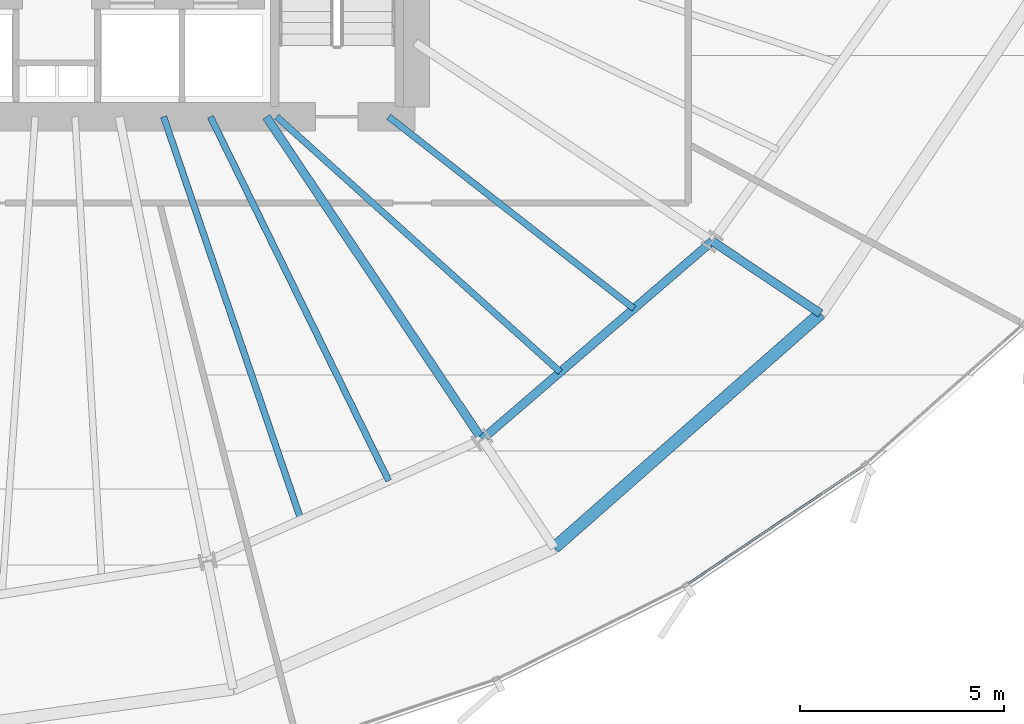
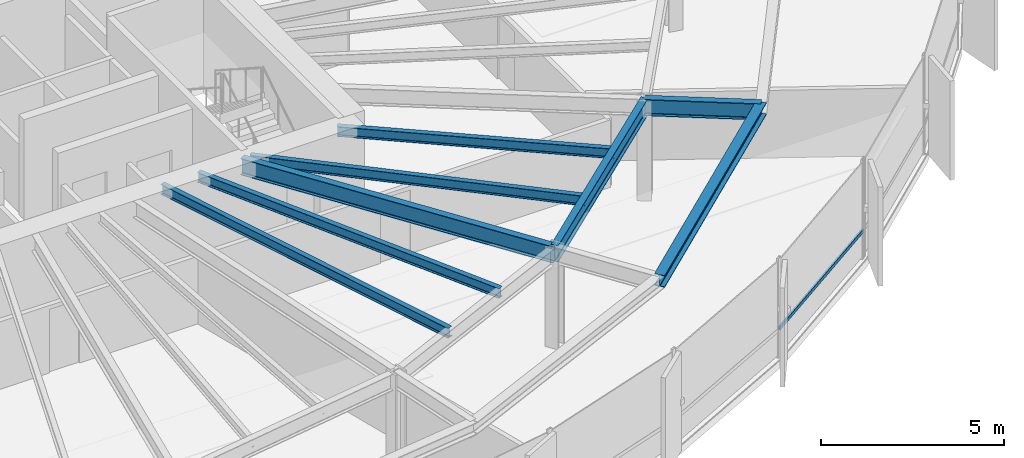
# One storey, part 12 of 35: 8 beams, 1 member, 1 element without a shape of its own.
"""IFC4 building model written with IfcOpenShell, lengths in metres."""

import ifcopenshell
import ifcopenshell.guid

model = None  # the IFC model being written
_history = None  # IfcOwnerHistory: only IFC2X3 demands one
_inside = {}  # id of a spatial element -> (the spatial element, [elements in it])
_under = {}  # id of a project, library or spatial element -> (it, [spatial elements below it])
_declared = {}  # id of a project -> (the project, [libraries it declares])
_typed = {}  # id of a type object -> (the type object, [elements of that type])
_made_of = {}  # id of a material, layer set ... -> (it, [elements and type objects made of it])


def new_model(schema):
    """Start an empty IFC model of exactly this schema.

    Asked for "IFC4X3", IfcOpenShell would pick the latest addendum, in which some entities
    have other attributes; the version numbers below select the first issue.
    IFC2X3 requires an IfcOwnerHistory on every rooted entity: one is made here for all.
    """
    global model, _history
    if schema == "IFC4X3":
        model = ifcopenshell.file(schema_version=(4, 3, 0, 0))
    else:
        model = ifcopenshell.file(schema=schema)
    _inside.clear()
    _under.clear()
    _declared.clear()
    _typed.clear()
    _made_of.clear()
    _history = None
    if model.schema == "IFC2X3":
        org = make("IfcOrganization", Name="unknown")
        user = make(
            "IfcPersonAndOrganization",
            ThePerson=make("IfcPerson", FamilyName="unknown"),
            TheOrganization=org,
        )
        app = make(
            "IfcApplication",
            ApplicationDeveloper=org,
            Version="unknown",
            ApplicationFullName="unknown",
            ApplicationIdentifier="unknown",
        )
        _history = make(
            "IfcOwnerHistory",
            OwningUser=user,
            OwningApplication=app,
            ChangeAction="ADDED",
            CreationDate=0,
        )
    return model


def make(cls, **values):
    """One entity of the class cls with the attributes given. An attribute that is None is left unset."""
    return model.create_entity(
        cls, **{name: value for name, value in values.items() if value is not None}
    )


def rooted(cls, **values):
    """An entity with a GlobalId (a new one), such as an element, a storey or a relation."""
    return make(cls, GlobalId=ifcopenshell.guid.new(), OwnerHistory=_history, **values)


def si_unit(unit_type, name, prefix=None):
    """IfcSIUnit, for example si_unit("LENGTHUNIT", "METRE", prefix="MILLI")."""
    return make("IfcSIUnit", UnitType=unit_type, Prefix=prefix, Name=name)


def assignment(units):
    """IfcUnitAssignment: the units of a project."""
    return None if units is None else make("IfcUnitAssignment", Units=units)


def point(xyz):
    """IfcCartesianPoint."""
    return None if xyz is None else make("IfcCartesianPoint", Coordinates=xyz)


def direction(xyz):
    """IfcDirection."""
    return None if xyz is None else make("IfcDirection", DirectionRatios=xyz)


def frame(location, z_axis=None, x_axis=None):
    """IfcAxis2Placement3D, a coordinate frame: its origin and axes. An axis left out is left unset."""
    return make(
        "IfcAxis2Placement3D",
        Location=point(location),
        Axis=direction(z_axis),
        RefDirection=direction(x_axis),
    )


def frame_2d(location, x_axis=None):
    """IfcAxis2Placement2D, a coordinate frame in the plane: its origin and x axis."""
    return make(
        "IfcAxis2Placement2D", Location=point(location), RefDirection=direction(x_axis)
    )


def origin():
    """The frame at (0, 0, 0) with its axes left unset."""
    return frame((0.0, 0.0, 0.0))


def origin_2d():
    """The frame at (0, 0) in the plane with its x axis left unset."""
    return frame_2d((0.0, 0.0))


def place(relative_to, where):
    """IfcLocalPlacement: puts the frame where relative to a parent placement (None: the world)."""
    return make(
        "IfcLocalPlacement", PlacementRelTo=relative_to, RelativePlacement=where
    )


def context(
    kind, dimensions, precision=None, world=None, true_north=None, identifier=None
):
    """IfcGeometricRepresentationContext, for example the 3D "Model" context."""
    return make(
        "IfcGeometricRepresentationContext",
        ContextIdentifier=identifier,
        ContextType=kind,
        CoordinateSpaceDimension=dimensions,
        Precision=precision,
        WorldCoordinateSystem=world,
        TrueNorth=true_north,
    )


def subcontext(parent, identifier, kind, view, scale=None):
    """IfcGeometricRepresentationSubContext, for example "Body" below "Model"."""
    return make(
        "IfcGeometricRepresentationSubContext",
        ContextIdentifier=identifier,
        ContextType=kind,
        ParentContext=parent,
        TargetScale=scale,
        TargetView=view,
    )


def project(units=None, contexts=None):
    """IfcProject with its units and contexts."""
    return rooted(
        "IfcProject",
        Name="project",
        RepresentationContexts=contexts,
        UnitsInContext=assignment(units),
    )


def spatial(cls, under=None, at=None, **own):
    """A site, building, storey or space (cls), placed at a placement, below another one or the project."""
    s = rooted(cls, ObjectPlacement=at, **own)
    if under is not None:
        _under.setdefault(under.id(), (under, []))[1].append(s)
    return s


def profile(cls, at=None, kind="AREA", **sizes):
    """A parametric profile (cls). Its sizes go by their IFC names, for example OverallWidth=200.0."""
    return make(cls, ProfileType=kind, Position=at, **sizes)


def hollow_rectangle(**sizes):
    """IfcRectangleHollowProfileDef."""
    return profile("IfcRectangleHollowProfileDef", **sizes)


def i_section(**sizes):
    """IfcIShapeProfileDef."""
    return profile("IfcIShapeProfileDef", **sizes)


def extrude(swept, where, along, depth):
    """IfcExtrudedAreaSolid: the profile swept, set in the frame where, extruded along a direction by depth."""
    return make(
        "IfcExtrudedAreaSolid",
        SweptArea=swept,
        Position=where,
        ExtrudedDirection=direction(along),
        Depth=depth,
    )


def shape(context_of_items, identifier, shape_type, items):
    """IfcShapeRepresentation: the items that make up one representation, for example the "Body"."""
    return make(
        "IfcShapeRepresentation",
        ContextOfItems=context_of_items,
        RepresentationIdentifier=identifier,
        RepresentationType=shape_type,
        Items=items,
    )


def source(mapping_origin, context_of_items, identifier, shape_type, items):
    """IfcRepresentationMap: a shape defined once, which mapped items show again and again."""
    return make(
        "IfcRepresentationMap",
        MappingOrigin=mapping_origin,
        MappedRepresentation=shape(context_of_items, identifier, shape_type, items),
    )


def transform(
    local_origin,
    x_axis=None,
    y_axis=None,
    z_axis=None,
    scale=None,
    scale2=None,
    scale3=None,
    uniform=True,
):
    """IfcCartesianTransformationOperator3D, or its non-uniform kind. x_axis, y_axis, z_axis: its Axis1, 2, 3."""
    if uniform:
        return make(
            "IfcCartesianTransformationOperator3D",
            Axis1=direction(x_axis),
            Axis2=direction(y_axis),
            LocalOrigin=point(local_origin),
            Scale=scale,
            Axis3=direction(z_axis),
        )
    return make(
        "IfcCartesianTransformationOperator3DnonUniform",
        Axis1=direction(x_axis),
        Axis2=direction(y_axis),
        LocalOrigin=point(local_origin),
        Scale=scale,
        Axis3=direction(z_axis),
        Scale2=scale2,
        Scale3=scale3,
    )


def mapped(mapping_source, mapping_target):
    """IfcMappedItem: shows the shape of a source again, moved by a transform."""
    return make(
        "IfcMappedItem", MappingSource=mapping_source, MappingTarget=mapping_target
    )


def material(Name=None, Category=None):
    """IfcMaterial."""
    return make("IfcMaterial", Name=Name, Category=Category)


def layer(
    of_material, thickness, ventilated=None, Name=None, Category=None, Priority=None
):
    """IfcMaterialLayer: one layer of a wall or slab, of a material (None: an air gap)."""
    return make(
        "IfcMaterialLayer",
        Material=of_material,
        LayerThickness=thickness,
        IsVentilated=ventilated,
        Name=Name,
        Category=Category,
        Priority=Priority,
    )


def layer_set(layers, Name=None):
    """IfcMaterialLayerSet."""
    return make("IfcMaterialLayerSet", MaterialLayers=layers, LayerSetName=Name)


def material_profile(
    of_material, cross_section, Name=None, Category=None, Priority=None
):
    """IfcMaterialProfile: a cross section and its material."""
    return make(
        "IfcMaterialProfile",
        Name=Name,
        Material=of_material,
        Profile=cross_section,
        Priority=Priority,
        Category=Category,
    )


def profile_set(profiles, Name=None, composite=None):
    """IfcMaterialProfileSet."""
    return make(
        "IfcMaterialProfileSet",
        Name=Name,
        MaterialProfiles=profiles,
        CompositeProfile=composite,
    )


def made_of(thing, what):
    """Note that an element or type object is made of a material, layer set ...; save() writes the relation."""
    if what is not None:
        _made_of.setdefault(what.id(), (what, []))[1].append(thing)
    return thing


def type_object(cls, material=None, **own):
    """A type object (cls), such as IfcWallType, which elements share."""
    return made_of(rooted(cls, **own), material)


def element(
    cls,
    number,
    at=None,
    inside=None,
    cuts=None,
    type_object=None,
    material=None,
    context=None,
    identifier="Body",
    shape_type=None,
    held_by="IfcProductDefinitionShape",
    body=None,
    shapes=None,
    **own,
):
    """One element of the class cls, such as IfcWall. Its Tag is "e" and its number.

    at: its placement. inside: the storey or other place that contains it. cuts: it is an
    opening in that element (IfcRelVoidsElement). A single representation is given by context,
    identifier, shape_type and body (its items); several are given by shapes. held_by: the class
    of the entity that holds the representations. save() writes the other relations.
    """
    e = rooted(cls, Tag="e%d" % number, ObjectPlacement=at, **own)
    if body is not None:
        shapes = [shape(context, identifier, shape_type, body)]
    if shapes is not None:
        e.Representation = make(held_by, Representations=shapes)
    if inside is not None:
        _inside.setdefault(inside.id(), (inside, []))[1].append(e)
    if cuts is not None:
        rooted(
            "IfcRelVoidsElement", RelatingBuildingElement=cuts, RelatedOpeningElement=e
        )
    if type_object is not None:
        _typed.setdefault(type_object.id(), (type_object, []))[1].append(e)
    return made_of(e, material)


def aggregate(whole, parts):
    """IfcRelAggregates: a whole, such as a stair, and the parts it consists of."""
    return rooted("IfcRelAggregates", RelatingObject=whole, RelatedObjects=parts)


def save(model, path):
    """Write the relations noted so far, then the file.

    IfcRelAggregates (storeys below a building ...), IfcRelContainedInSpatialStructure (elements
    in a storey), IfcRelDefinesByType, IfcRelAssociatesMaterial and IfcRelDeclares: one each for
    every whole, place, type object, material and project.
    """
    for whole, parts in _under.values():
        aggregate(whole, parts)
    for where, things in _inside.values():
        rooted(
            "IfcRelContainedInSpatialStructure",
            RelatedElements=things,
            RelatingStructure=where,
        )
    for kind, things in _typed.values():
        rooted("IfcRelDefinesByType", RelatedObjects=things, RelatingType=kind)
    for what, things in _made_of.values():
        rooted("IfcRelAssociatesMaterial", RelatedObjects=things, RelatingMaterial=what)
    for by, libraries in _declared.values():
        rooted("IfcRelDeclares", RelatingContext=by, RelatedDefinitions=libraries)
    model.write(path)


model = new_model("IFC4")

# Units and contexts
model_context = context("Model", 3, precision=1e-05, world=origin(), true_north=direction((0.0, 1.0)))
body_context = subcontext(model_context, "Body", "Model", "MODEL_VIEW")
ifc_project = project(units=[si_unit("LENGTHUNIT", "METRE"), si_unit("AREAUNIT", "SQUARE_METRE"), si_unit("VOLUMEUNIT", "CUBIC_METRE"), si_unit("PLANEANGLEUNIT", "RADIAN"), si_unit("MASSUNIT", "GRAM", prefix="KILO"), si_unit("THERMODYNAMICTEMPERATUREUNIT", "KELVIN")], contexts=[model_context])

# Site, building, storey
site_placement = place(None, origin())
site = spatial("IfcSite", under=ifc_project, at=site_placement, CompositionType="ELEMENT")
building_placement = place(site_placement, origin())
building = spatial("IfcBuilding", under=site, at=building_placement, Name="Kethvar Cultural Tower", CompositionType="ELEMENT")
storey_placement = place(building_placement, frame((0.0, 0.0, 92.800048828125)))
storey = spatial("IfcBuildingStorey", under=building, at=storey_placement, Name="L22", CompositionType="ELEMENT", Elevation=92.800048828125)

# Beams
ifc_material_1 = material(Name="Steel S355J2", Category="steel")
ifc_material_profile_1 = material_profile(ifc_material_1, i_section(OverallWidth=0.2099609375, OverallDepth=0.550048828125, WebThickness=0.010986328125, FlangeThickness=0.01708984375, FilletRadius=0.02392578125, at=origin_2d()), Name="Steel S355J2 — IPE550")
ifc_profile_set_1 = profile_set([ifc_material_profile_1], Name="Steel S355J2 — IPE550")
beam_type_1 = type_object("IfcBeamType", Name="BM-IPE550", PredefinedType="BEAM", material=ifc_profile_set_1)
shared_shape_1 = source(origin(), body_context, "Body", "SweptSolid", [
    extrude(i_section(OverallWidth=0.2099609375, OverallDepth=0.550048828125, WebThickness=0.010986328125, FlangeThickness=0.01708984375, FilletRadius=0.02392578125, at=origin_2d()), origin(), (0.0, 0.0, 1.0), 3.199951171875),
])
beam_1_placement = place(storey_placement, frame((62.898681640625, 17.043212890625, 3.072998046875), z_axis=(0.831462943996, -0.555580212716, 0.0), x_axis=(0.555580212716, 0.831462943996, 0.0)))
element("IfcBeam", 1, at=beam_1_placement, inside=storey, type_object=beam_type_1, Name="L22 Perimeter Cantilever Beam RC-15", PredefinedType="BEAM", context=body_context, shape_type="MappedRepresentation", body=[
    mapped(shared_shape_1, transform((0.0, 0.0, 0.0), scale=1.0)),
])
shared_shape_2 = source(origin(), body_context, "Body", "SweptSolid", [
    extrude(i_section(OverallWidth=0.2099609375, OverallDepth=0.550048828125, WebThickness=0.010986328125, FlangeThickness=0.01708984375, FilletRadius=0.02392578125, at=origin_2d()), origin(), (0.0, 0.0, 1.0), 9.534423828125),
])
beam_2_placement = place(storey_placement, frame((51.945068359375, 20.10009765625, 3.072998046875), z_axis=(0.555550817894, -0.831482584747, 0.0), x_axis=(0.831482584747, 0.555550817894, 0.0)))
element("IfcBeam", 2, at=beam_2_placement, inside=storey, type_object=beam_type_1, Name="L22 Primary Radial Beam RB-14", PredefinedType="BEAM", context=body_context, shape_type="MappedRepresentation", body=[
    mapped(shared_shape_2, transform((0.0, 0.0, 0.0), scale=1.0)),
])
ifc_material_profile_2 = material_profile(ifc_material_1, i_section(OverallWidth=0.159912109375, OverallDepth=0.330078125, WebThickness=0.007568359375, FlangeThickness=0.011474609375, FilletRadius=0.01806640625, at=origin_2d()), Name="Steel S355J2 — IPE330")
ifc_profile_set_2 = profile_set([ifc_material_profile_2], Name="Steel S355J2 — IPE330")
beam_type_2 = type_object("IfcBeamType", Name="BM-J330", PredefinedType="JOIST", material=ifc_profile_set_2)
shared_shape_3 = source(origin(), body_context, "Body", "SweptSolid", [
    extrude(i_section(OverallWidth=0.159912109375, OverallDepth=0.330078125, WebThickness=0.007568359375, FlangeThickness=0.011474609375, FilletRadius=0.01806640625, at=origin_2d()), origin(), (0.0, 0.0, 1.0), 10.45947265625),
])
beam_3_placement = place(storey_placement, frame((49.42236328125, 20.10009765625, 3.182861328125), z_axis=(0.322390188368, -0.94660687006, 0.0), x_axis=(0.94660687006, 0.322390188368, 0.0)))
element("IfcBeam", 3, at=beam_3_placement, inside=storey, type_object=beam_type_2, Name="L22 Composite Floor Joist J-13A", PredefinedType="JOIST", context=body_context, shape_type="MappedRepresentation", body=[
    mapped(shared_shape_3, transform((0.0, 0.0, 0.0), scale=1.0)),
])
shared_shape_4 = source(origin(), body_context, "Body", "SweptSolid", [
    extrude(i_section(OverallWidth=0.159912109375, OverallDepth=0.330078125, WebThickness=0.007568359375, FlangeThickness=0.011474609375, FilletRadius=0.01806640625, at=origin_2d()), origin(), (0.0, 0.0, 1.0), 9.959228515625),
])
beam_4_placement = place(storey_placement, frame((50.57080078125, 20.10009765625, 3.182861328125), z_axis=(0.439785134514, -0.898103020516, 0.0), x_axis=(0.898103020516, 0.439785134514, 0.0)))
element("IfcBeam", 4, at=beam_4_placement, inside=storey, type_object=beam_type_2, Name="L22 Composite Floor Joist J-13B", PredefinedType="JOIST", context=body_context, shape_type="MappedRepresentation", body=[
    mapped(shared_shape_4, transform((0.0, 0.0, 0.0), scale=1.0)),
])
shared_shape_5 = source(origin(), body_context, "Body", "SweptSolid", [
    extrude(i_section(OverallWidth=0.2099609375, OverallDepth=0.550048828125, WebThickness=0.010986328125, FlangeThickness=0.01708984375, FilletRadius=0.02392578125, at=origin_2d()), origin(), (0.0, 0.0, 1.0), 7.46484375),
])
beam_5_placement = place(storey_placement, frame((57.241943359375, 12.17236328125, 3.072998046875), z_axis=(0.757784075291, 0.652505398625, 0.0), x_axis=(-0.652505398625, 0.757784075291, 0.0)))
element("IfcBeam", 5, at=beam_5_placement, inside=storey, type_object=beam_type_1, Name="L22 Column Ring Tie Beam CR-14", PredefinedType="BEAM", context=body_context, shape_type="MappedRepresentation", body=[
    mapped(shared_shape_5, transform((0.0, 0.0, 0.0), scale=1.0)),
])
ifc_material_profile_3 = material_profile(ifc_material_1, i_section(OverallWidth=0.300048828125, OverallDepth=0.39990234375, WebThickness=0.013427734375, FlangeThickness=0.02392578125, FilletRadius=0.027099609375, at=origin_2d()), Name="Steel S355J2 — HEB400")
ifc_profile_set_3 = profile_set([ifc_material_profile_3], Name="Steel S355J2 — HEB400")
beam_type_3 = type_object("IfcBeamType", Name="BM-SP400", PredefinedType="SPANDREL", material=ifc_profile_set_3)
shared_shape_6 = source(origin(), body_context, "Body", "SweptSolid", [
    extrude(i_section(OverallWidth=0.300048828125, OverallDepth=0.39990234375, WebThickness=0.013427734375, FlangeThickness=0.02392578125, FilletRadius=0.027099609375, at=origin_2d()), origin(), (0.0, 0.0, 1.0), 8.71044921875),
])
beam_6_placement = place(storey_placement, frame((59.019775390625, 9.51171875, 3.14794921875), z_axis=(0.75077856833, 0.660553965498, 0.0), x_axis=(-0.660553965498, 0.75077856833, 0.0)))
element("IfcBeam", 6, at=beam_6_placement, inside=storey, type_object=beam_type_3, Name="L22 Perimeter Spandrel Beam SP-14", PredefinedType="SPANDREL", context=body_context, shape_type="MappedRepresentation", body=[
    mapped(shared_shape_6, transform((0.0, 0.0, 0.0), scale=1.0)),
])
shared_shape_7 = source(origin(), body_context, "Body", "SweptSolid", [
    extrude(i_section(OverallWidth=0.159912109375, OverallDepth=0.330078125, WebThickness=0.007568359375, FlangeThickness=0.011474609375, FilletRadius=0.01806640625, at=origin_2d()), origin(), (0.0, 0.0, 1.0), 9.372802734375),
])
beam_7_placement = place(storey_placement, frame((52.199951171875, 20.10009765625, 3.182861328125), z_axis=(0.743151656479, -0.669123019685, 0.0), x_axis=(0.669123019685, 0.743151656479, 0.0)))
element("IfcBeam", 7, at=beam_7_placement, inside=storey, type_object=beam_type_2, Name="L22 Composite Floor Joist J-14A", PredefinedType="JOIST", context=body_context, shape_type="MappedRepresentation", body=[
    mapped(shared_shape_7, transform((0.0, 0.0, 0.0), scale=1.0)),
])
shared_shape_8 = source(origin(), body_context, "Body", "SweptSolid", [
    extrude(i_section(OverallWidth=0.159912109375, OverallDepth=0.330078125, WebThickness=0.007568359375, FlangeThickness=0.011474609375, FilletRadius=0.01806640625, at=origin_2d()), origin(), (0.0, 0.0, 1.0), 7.649658203125),
])
beam_8_placement = place(storey_placement, frame((54.949951171875, 20.10009765625, 3.182861328125), z_axis=(0.787671994752, -0.616094821179, 0.0), x_axis=(0.616094821179, 0.787671994752, 0.0)))
element("IfcBeam", 8, at=beam_8_placement, inside=storey, type_object=beam_type_2, Name="L22 Composite Floor Joist J-14B", PredefinedType="JOIST", context=body_context, shape_type="MappedRepresentation", body=[
    mapped(shared_shape_8, transform((0.0, 0.0, 0.0), scale=1.0)),
])

# Curtain wall, member
ifc_material_2 = material(Name="Aluminium 6063-T6", Category="aluminium")
ifc_layer = layer(ifc_material_2, 0.179931640625, Name="Aluminium 6063-T6", Category="aluminium")
ifc_layer_set = layer_set([ifc_layer], Name="Aluminium 6063-T6 (180 mm)")
curtain_wall_type = type_object("IfcCurtainWallType", Name="CW-SYS-03-Z2", PredefinedType="NOTDEFINED", material=ifc_layer_set)
curtain_wall_placement = place(storey_placement, origin())
curtain_wall = element("IfcCurtainWall", 9, at=curtain_wall_placement, inside=storey, type_object=curtain_wall_type, Name="L22 Curtain Wall Run 05", PredefinedType="NOTDEFINED")
ifc_material_profile_4 = material_profile(ifc_material_2, hollow_rectangle(XDim=0.054931640625, YDim=0.1201171875, WallThickness=0.00390625, at=origin_2d()), Name="Aluminium 6063-T6 — RHS120x55x4")
ifc_profile_set_4 = profile_set([ifc_material_profile_4], Name="Aluminium 6063-T6 — RHS120x55x4")
member_type = type_object("IfcMemberType", Name="CW-SYS-03-Z2-TRN", PredefinedType="USERDEFINED", material=ifc_profile_set_4)
shared_shape_9 = source(origin(), body_context, "Body", "SweptSolid", [
    extrude(hollow_rectangle(XDim=0.054931640625, YDim=0.1201171875, WallThickness=0.00390625, at=origin_2d()), origin(), (0.0, 0.0, 1.0), 5.19091796875),
])
member_placement = place(storey_placement, frame((62.2919921875, 8.618408203125, 0.949951171875), z_axis=(0.829275904271, 0.558839399645, 0.0), x_axis=(-0.558839399645, 0.829275904271, 0.0)))
member = element("IfcMember", 10, at=member_placement, type_object=member_type, Name="CW-L22-R05 Transom 6", ObjectType="TRANSOM", PredefinedType="USERDEFINED", context=body_context, shape_type="MappedRepresentation", body=[
    mapped(shared_shape_9, transform((0.0, 0.0, 0.0), scale=1.0)),
])
aggregate(curtain_wall, [member])

save(model, "model.ifc")
